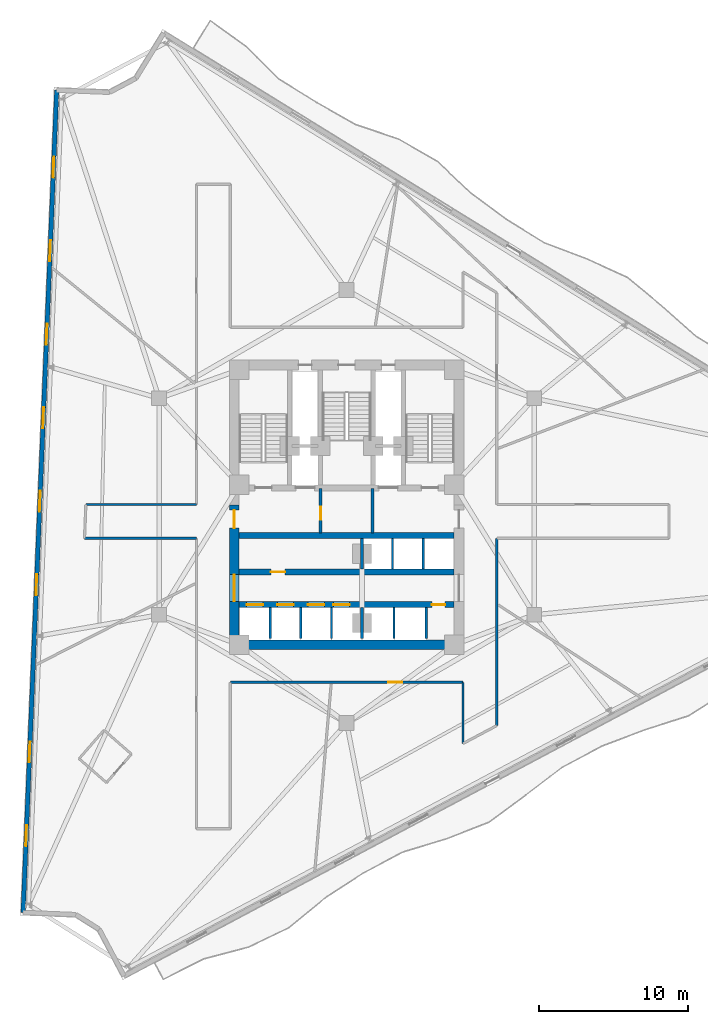
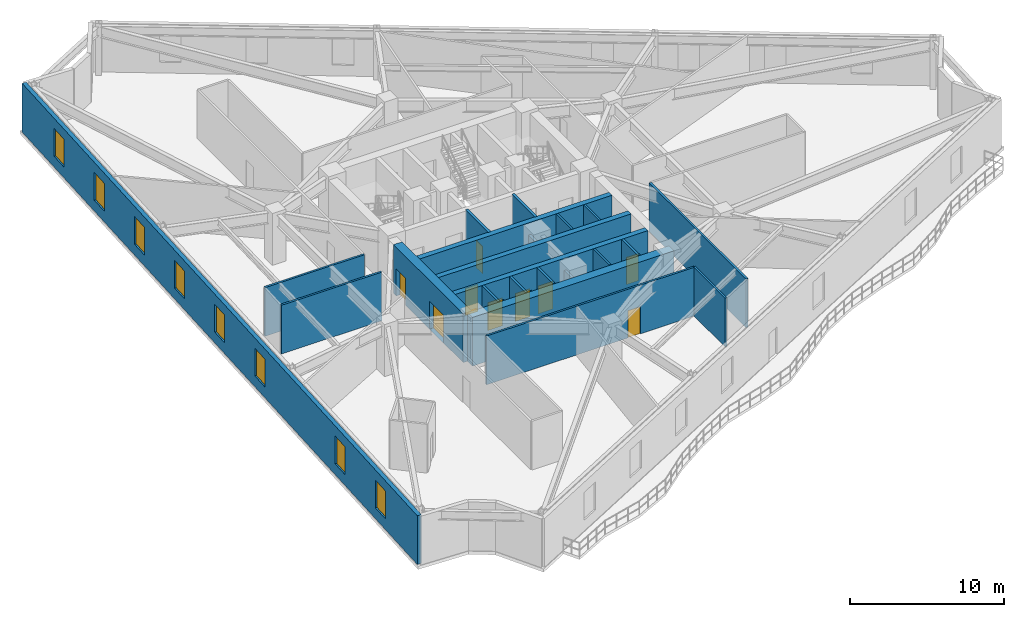
# One storey, part 6 of 11: 22 walls, 10 doors, 8 windows, 18 openings.
"""IFC4 building model written with IfcOpenShell, lengths in metres."""

from ifc_helpers import new_model, si_unit, direction, frame, frame_2d, origin, place, context, subcontext, project, spatial, rectangle, extrude, material, layer, layer_set, type_object, element, fill, save


model = new_model("IFC4")

# Units and contexts
model_context = context("Model", 3, precision=1e-05, world=origin(), true_north=direction((0.0, 1.0)))
body_context = subcontext(model_context, "Body", "Model", "MODEL_VIEW")
ifc_project = project(units=[si_unit("LENGTHUNIT", "METRE"), si_unit("AREAUNIT", "SQUARE_METRE"), si_unit("VOLUMEUNIT", "CUBIC_METRE"), si_unit("PLANEANGLEUNIT", "RADIAN"), si_unit("MASSUNIT", "GRAM", prefix="KILO")], contexts=[model_context])

# Site, building, storey
site_placement = place(None, origin())
site = spatial("IfcSite", under=ifc_project, at=site_placement, CompositionType="ELEMENT")
building_placement = place(site_placement, origin())
building = spatial("IfcBuilding", under=site, at=building_placement, Name="Apsidion Concourse Tower", CompositionType="ELEMENT")
storey_placement = place(building_placement, frame((0.0, 0.0, 186.0)))
storey = spatial("IfcBuildingStorey", under=building, at=storey_placement, Name="L43", CompositionType="ELEMENT", Elevation=186.0)

# Wall, openings, windows
ifc_material_1 = material(Name="Precast concrete C40/50", Category="concrete")
ifc_layer_1 = layer(ifc_material_1, 0.300048828125)
ifc_layer_set_1 = layer_set([ifc_layer_1], Name="Precast concrete C40/50")
wall_type_1 = type_object("IfcWallType", Name="WL-EXT-300", PredefinedType="STANDARD", material=ifc_layer_set_1)
wall_1_placement = place(storey_placement, frame((-21.66748046875, -27.184326171875, 0.0), z_axis=(0.0, 0.0, 1.0), x_axis=(0.040813869681, 0.999166766882, 0.0)))
wall_1 = element("IfcWall", 1, at=wall_1_placement, inside=storey, type_object=wall_type_1, Name="L43 Precast Stone Facade Wall 09", PredefinedType="STANDARD", context=body_context, shape_type="SweptSolid", body=[
    extrude(rectangle(XDim=55.1103515625, YDim=0.300048828125, at=frame_2d((27.55517578125, 0.0))), origin(), (0.0, 0.0, 1.0), 3.85009765625),
])
opening_1_placement = place(wall_1_placement, frame((4.455322265625, 0.0, 0.85009765625)))
opening_1 = element("IfcOpeningElement", 2, at=opening_1_placement, cuts=wall_1, Name="Opening WN-05", PredefinedType="OPENING", context=body_context, shape_type="SweptSolid", body=[
    extrude(rectangle(XDim=1.39990234375, YDim=2.199951171875, at=frame_2d((0.699951171875, 1.10009765625))), frame((0.0, 0.16015625, 0.0), z_axis=(0.0, -1.0, 0.0), x_axis=(1.0, 0.0, 0.0)), (0.0, 0.0, 1.0), 0.320068359375),
])
opening_2_placement = place(wall_1_placement, frame((10.055419921875, 0.0, 0.85009765625)))
opening_2 = element("IfcOpeningElement", 3, at=opening_2_placement, cuts=wall_1, Name="Opening WN-05", PredefinedType="OPENING", context=body_context, shape_type="SweptSolid", body=[
    extrude(rectangle(XDim=1.39990234375, YDim=2.199951171875, at=frame_2d((0.699951171875, 1.10009765625))), frame((0.0, 0.16015625, 0.0), z_axis=(0.0, -1.0, 0.0), x_axis=(1.0, 0.0, 0.0)), (0.0, 0.0, 1.0), 0.320068359375),
])
opening_3_placement = place(wall_1_placement, frame((21.25537109375, 0.0, 0.85009765625)))
opening_3 = element("IfcOpeningElement", 4, at=opening_3_placement, cuts=wall_1, Name="Opening WN-05", PredefinedType="OPENING", context=body_context, shape_type="SweptSolid", body=[
    extrude(rectangle(XDim=1.39990234375, YDim=2.199951171875, at=frame_2d((0.699951171875, 1.10009765625))), frame((0.0, 0.16015625, 0.0), z_axis=(0.0, -1.0, 0.0), x_axis=(1.0, 0.0, 0.0)), (0.0, 0.0, 1.0), 0.320068359375),
])
opening_4_placement = place(wall_1_placement, frame((26.855224609375, 0.0, 0.85009765625)))
opening_4 = element("IfcOpeningElement", 5, at=opening_4_placement, cuts=wall_1, Name="Opening WN-05", PredefinedType="OPENING", context=body_context, shape_type="SweptSolid", body=[
    extrude(rectangle(XDim=1.39990234375, YDim=2.199951171875, at=frame_2d((0.699951171875, 1.10009765625))), frame((0.0, 0.16015625, 0.0), z_axis=(0.0, -1.0, 0.0), x_axis=(1.0, 0.0, 0.0)), (0.0, 0.0, 1.0), 0.320068359375),
])
opening_5_placement = place(wall_1_placement, frame((32.455322265625, 0.0, 0.85009765625)))
opening_5 = element("IfcOpeningElement", 6, at=opening_5_placement, cuts=wall_1, Name="Opening WN-05", PredefinedType="OPENING", context=body_context, shape_type="SweptSolid", body=[
    extrude(rectangle(XDim=1.39990234375, YDim=2.199951171875, at=frame_2d((0.699951171875, 1.10009765625))), frame((0.0, 0.16015625, 0.0), z_axis=(0.0, -1.0, 0.0), x_axis=(1.0, 0.0, 0.0)), (0.0, 0.0, 1.0), 0.320068359375),
])
opening_6_placement = place(wall_1_placement, frame((38.055419921875, 0.0, 0.85009765625)))
opening_6 = element("IfcOpeningElement", 7, at=opening_6_placement, cuts=wall_1, Name="Opening WN-05", PredefinedType="OPENING", context=body_context, shape_type="SweptSolid", body=[
    extrude(rectangle(XDim=1.39990234375, YDim=2.199951171875, at=frame_2d((0.699951171875, 1.10009765625))), frame((0.0, 0.16015625, 0.0), z_axis=(0.0, -1.0, 0.0), x_axis=(1.0, 0.0, 0.0)), (0.0, 0.0, 1.0), 0.320068359375),
])
opening_7_placement = place(wall_1_placement, frame((43.6552734375, 0.0, 0.85009765625)))
opening_7 = element("IfcOpeningElement", 8, at=opening_7_placement, cuts=wall_1, Name="Opening WN-05", PredefinedType="OPENING", context=body_context, shape_type="SweptSolid", body=[
    extrude(rectangle(XDim=1.39990234375, YDim=2.199951171875, at=frame_2d((0.699951171875, 1.10009765625))), frame((0.0, 0.16015625, 0.0), z_axis=(0.0, -1.0, 0.0), x_axis=(1.0, 0.0, 0.0)), (0.0, 0.0, 1.0), 0.320068359375),
])
opening_8_placement = place(wall_1_placement, frame((49.25537109375, 0.0, 0.85009765625)))
opening_8 = element("IfcOpeningElement", 9, at=opening_8_placement, cuts=wall_1, Name="Opening WN-05", PredefinedType="OPENING", context=body_context, shape_type="SweptSolid", body=[
    extrude(rectangle(XDim=1.39990234375, YDim=2.199951171875, at=frame_2d((0.699951171875, 1.10009765625))), frame((0.0, 0.16015625, 0.0), z_axis=(0.0, -1.0, 0.0), x_axis=(1.0, 0.0, 0.0)), (0.0, 0.0, 1.0), 0.320068359375),
])
ifc_material_2 = material(Name="Insulated laminated low-E glass", Category="glass")
window_type = type_object("IfcWindowType", Name="WN-OFF-1424", PartitioningType="SINGLE_PANEL", PredefinedType="WINDOW", material=ifc_material_2)
window_1_placement = place(opening_1_placement, origin())
window_1 = element("IfcWindow", 10, at=window_1_placement, inside=storey, type_object=window_type, Name="L43 Punched Facade Window 9-01", OverallHeight=2.199951171875, OverallWidth=1.39990234375, PartitioningType="SINGLE_PANEL", PredefinedType="WINDOW", context=body_context, shape_type="SweptSolid", body=[
    extrude(rectangle(XDim=1.39990234375, YDim=2.199951171875, at=frame_2d((0.699951171875, 1.10009765625))), frame((0.0, 0.030029296875, 0.0), z_axis=(0.0, -1.0, 0.0), x_axis=(1.0, 0.0, 0.0)), (0.0, 0.0, 1.0), 0.06005859375),
])
fill(opening_1, window_1)
window_2_placement = place(opening_2_placement, origin())
window_2 = element("IfcWindow", 11, at=window_2_placement, inside=storey, type_object=window_type, Name="L43 Punched Facade Window 9-02", OverallHeight=2.199951171875, OverallWidth=1.39990234375, PartitioningType="SINGLE_PANEL", PredefinedType="WINDOW", context=body_context, shape_type="SweptSolid", body=[
    extrude(rectangle(XDim=1.39990234375, YDim=2.199951171875, at=frame_2d((0.699951171875, 1.10009765625))), frame((0.0, 0.030029296875, 0.0), z_axis=(0.0, -1.0, 0.0), x_axis=(1.0, 0.0, 0.0)), (0.0, 0.0, 1.0), 0.06005859375),
])
fill(opening_2, window_2)
window_3_placement = place(opening_3_placement, origin())
window_3 = element("IfcWindow", 12, at=window_3_placement, inside=storey, type_object=window_type, Name="L43 Punched Facade Window 9-04", OverallHeight=2.199951171875, OverallWidth=1.39990234375, PartitioningType="SINGLE_PANEL", PredefinedType="WINDOW", context=body_context, shape_type="SweptSolid", body=[
    extrude(rectangle(XDim=1.39990234375, YDim=2.199951171875, at=frame_2d((0.699951171875, 1.10009765625))), frame((0.0, 0.030029296875, 0.0), z_axis=(0.0, -1.0, 0.0), x_axis=(1.0, 0.0, 0.0)), (0.0, 0.0, 1.0), 0.06005859375),
])
fill(opening_3, window_3)
window_4_placement = place(opening_4_placement, origin())
window_4 = element("IfcWindow", 13, at=window_4_placement, inside=storey, type_object=window_type, Name="L43 Punched Facade Window 9-05", OverallHeight=2.199951171875, OverallWidth=1.39990234375, PartitioningType="SINGLE_PANEL", PredefinedType="WINDOW", context=body_context, shape_type="SweptSolid", body=[
    extrude(rectangle(XDim=1.39990234375, YDim=2.199951171875, at=frame_2d((0.699951171875, 1.10009765625))), frame((0.0, 0.030029296875, 0.0), z_axis=(0.0, -1.0, 0.0), x_axis=(1.0, 0.0, 0.0)), (0.0, 0.0, 1.0), 0.06005859375),
])
fill(opening_4, window_4)
window_5_placement = place(opening_5_placement, origin())
window_5 = element("IfcWindow", 14, at=window_5_placement, inside=storey, type_object=window_type, Name="L43 Punched Facade Window 9-06", OverallHeight=2.199951171875, OverallWidth=1.39990234375, PartitioningType="SINGLE_PANEL", PredefinedType="WINDOW", context=body_context, shape_type="SweptSolid", body=[
    extrude(rectangle(XDim=1.39990234375, YDim=2.199951171875, at=frame_2d((0.699951171875, 1.10009765625))), frame((0.0, 0.030029296875, 0.0), z_axis=(0.0, -1.0, 0.0), x_axis=(1.0, 0.0, 0.0)), (0.0, 0.0, 1.0), 0.06005859375),
])
fill(opening_5, window_5)
window_6_placement = place(opening_6_placement, origin())
window_6 = element("IfcWindow", 15, at=window_6_placement, inside=storey, type_object=window_type, Name="L43 Punched Facade Window 9-07", OverallHeight=2.199951171875, OverallWidth=1.39990234375, PartitioningType="SINGLE_PANEL", PredefinedType="WINDOW", context=body_context, shape_type="SweptSolid", body=[
    extrude(rectangle(XDim=1.39990234375, YDim=2.199951171875, at=frame_2d((0.699951171875, 1.10009765625))), frame((0.0, 0.030029296875, 0.0), z_axis=(0.0, -1.0, 0.0), x_axis=(1.0, 0.0, 0.0)), (0.0, 0.0, 1.0), 0.06005859375),
])
fill(opening_6, window_6)
window_7_placement = place(opening_7_placement, origin())
window_7 = element("IfcWindow", 16, at=window_7_placement, inside=storey, type_object=window_type, Name="L43 Punched Facade Window 9-08", OverallHeight=2.199951171875, OverallWidth=1.39990234375, PartitioningType="SINGLE_PANEL", PredefinedType="WINDOW", context=body_context, shape_type="SweptSolid", body=[
    extrude(rectangle(XDim=1.39990234375, YDim=2.199951171875, at=frame_2d((0.699951171875, 1.10009765625))), frame((0.0, 0.030029296875, 0.0), z_axis=(0.0, -1.0, 0.0), x_axis=(1.0, 0.0, 0.0)), (0.0, 0.0, 1.0), 0.06005859375),
])
fill(opening_7, window_7)
window_8_placement = place(opening_8_placement, origin())
window_8 = element("IfcWindow", 17, at=window_8_placement, inside=storey, type_object=window_type, Name="L43 Punched Facade Window 9-09", OverallHeight=2.199951171875, OverallWidth=1.39990234375, PartitioningType="SINGLE_PANEL", PredefinedType="WINDOW", context=body_context, shape_type="SweptSolid", body=[
    extrude(rectangle(XDim=1.39990234375, YDim=2.199951171875, at=frame_2d((0.699951171875, 1.10009765625))), frame((0.0, 0.030029296875, 0.0), z_axis=(0.0, -1.0, 0.0), x_axis=(1.0, 0.0, 0.0)), (0.0, 0.0, 1.0), 0.06005859375),
])
fill(opening_8, window_8)

# Walls
ifc_material_3 = material(Name="Gypsum plasterboard partition")
ifc_layer_2 = layer(ifc_material_3, 0.14990234375)
ifc_layer_set_2 = layer_set([ifc_layer_2], Name="Gypsum plasterboard partition")
wall_type_2 = type_object("IfcWallType", Name="WL-INT-PAR-150", PredefinedType="PARTITIONING", material=ifc_layer_set_2)
for number, where, z_axis, x_axis, name in (
    (18, (3.074951171875, -4.179931640625, 0.0), (0.0, 0.0, 1.0), (0.0, 1.0, 0.0), "L43 Interior Partition WL-L43-B3DIV-1"),
    (19, (5.125, -4.179931640625, 0.0), (0.0, 0.0, 1.0), (0.0, 1.0, 0.0), "L43 Interior Partition WL-L43-B3DIV-2"),
):
    element("IfcWall", number, at=place(storey_placement, frame(where, z_axis=z_axis, x_axis=x_axis)), inside=storey, type_object=wall_type_2, Name=name, PredefinedType="PARTITIONING", context=body_context, shape_type="SweptSolid", body=[
        extrude(rectangle(XDim=2.030029296875, YDim=0.14990234375, at=frame_2d((1.01513671875, 0.0))), origin(), (0.0, 0.0, 1.0), 3.85009765625),
    ])
for number, where, z_axis, x_axis, name in (
    (20, (-5.125, -8.85009765625, 0.0), (0.0, 0.0, 1.0), (0.0, 1.0, 0.0), "L43 Interior Partition WL-L43-B2DIV-1"),
    (21, (-3.074951171875, -8.85009765625, 0.0), (0.0, 0.0, 1.0), (0.0, 1.0, 0.0), "L43 Interior Partition WL-L43-B2DIV-2"),
    (22, (-1.02490234375, -8.85009765625, 0.0), (0.0, 0.0, 1.0), (0.0, 1.0, 0.0), "L43 Interior Partition WL-L43-B2DIV-3"),
    (23, (3.175048828125, -8.85009765625, 0.0), (0.0, 0.0, 1.0), (0.0, 1.0, 0.0), "L43 Interior Partition WL-L43-SHDIV-1"),
):
    element("IfcWall", number, at=place(storey_placement, frame(where, z_axis=z_axis, x_axis=x_axis)), inside=storey, type_object=wall_type_2, Name=name, PredefinedType="PARTITIONING", context=body_context, shape_type="SweptSolid", body=[
        extrude(rectangle(XDim=2.080078125, YDim=0.14990234375, at=frame_2d((1.0400390625, 0.0))), origin(), (0.0, 0.0, 1.0), 3.85009765625),
    ])
wall_2_placement = place(storey_placement, frame((7.7900390625, -15.87060546875, 0.0), z_axis=(0.0, 0.0, 1.0), x_axis=(0.0, 1.0, 0.0)))
element("IfcWall", 24, at=wall_2_placement, inside=storey, type_object=wall_type_2, Name="L43 Interior Partition WL-L43-CORR-02", PredefinedType="PARTITIONING", context=body_context, shape_type="SweptSolid", body=[
    extrude(rectangle(XDim=4.095703125, YDim=0.14990234375, at=frame_2d((2.0478515625, 0.0))), origin(), (0.0, 0.0, 1.0), 3.85009765625),
])

# Wall, opening, door
wall_3_placement = place(storey_placement, frame((7.7900390625, -11.77490234375, 0.0), z_axis=(0.0, 0.0, 1.0), x_axis=(-1.0, 0.0, 0.0)))
wall_3 = element("IfcWall", 25, at=wall_3_placement, inside=storey, type_object=wall_type_2, Name="L43 Interior Partition WL-L43-CORR-03", PredefinedType="PARTITIONING", context=body_context, shape_type="SweptSolid", body=[
    extrude(rectangle(XDim=15.580078125, YDim=0.14990234375, at=frame_2d((7.7900390625, 0.0))), origin(), (0.0, 0.0, 1.0), 3.85009765625),
])
opening_9_placement = place(wall_3_placement, frame((4.066650390625, 0.0, 0.0)))
opening_9 = element("IfcOpeningElement", 26, at=opening_9_placement, cuts=wall_3, Name="Opening D-01R", PredefinedType="OPENING", context=body_context, shape_type="SweptSolid", body=[
    extrude(rectangle(XDim=0.949951171875, YDim=2.14990234375, at=frame_2d((0.47509765625, 1.074951171875))), frame((0.0, 0.0849609375, 0.0), z_axis=(0.0, -1.0, 0.0), x_axis=(1.0, 0.0, 0.0)), (0.0, 0.0, 1.0), 0.169921875),
])
ifc_material_4 = material(Name="Brushed stainless steel 316", Category="steel")
door_type_1 = type_object("IfcDoorType", Name="DR-INT-D01R", OperationType="SINGLE_SWING_RIGHT", PredefinedType="DOOR", material=ifc_material_4)
door_1_placement = place(opening_9_placement, origin())
door_1 = element("IfcDoor", 27, at=door_1_placement, inside=storey, type_object=door_type_1, Name="L43 Corridor Entry Door 02", OperationType="SINGLE_SWING_RIGHT", OverallHeight=2.14990234375, OverallWidth=0.949951171875, PredefinedType="DOOR", context=body_context, shape_type="SweptSolid", body=[
    extrude(rectangle(XDim=0.949951171875, YDim=2.14990234375, at=frame_2d((0.47509765625, 1.074951171875))), frame((0.0, 0.02490234375, 0.0), z_axis=(0.0, -1.0, 0.0), x_axis=(1.0, 0.0, 0.0)), (0.0, 0.0, 1.0), 0.050048828125),
])
fill(opening_9, door_1)

# Walls
wall_4_placement = place(storey_placement, frame((-10.050048828125, -2.1298828125, 0.0), z_axis=(0.0, 0.0, 1.0), x_axis=(-1.0, 0.0, 0.0)))
element("IfcWall", 28, at=wall_4_placement, inside=storey, type_object=wall_type_2, Name="L43 Interior Partition WL-L43-CORR-07", PredefinedType="PARTITIONING", context=body_context, shape_type="SweptSolid", body=[
    extrude(rectangle(XDim=7.50634765625, YDim=0.14990234375, at=frame_2d((3.753173828125, 0.0))), origin(), (0.0, 0.0, 1.0), 3.85009765625),
])
wall_5_placement = place(storey_placement, frame((-17.464111328125, 0.1298828125, 0.0), z_axis=(0.0, 0.0, 1.0), x_axis=(1.0, 0.0, 0.0)))
element("IfcWall", 29, at=wall_5_placement, inside=storey, type_object=wall_type_2, Name="L43 Interior Partition WL-L43-CORR-09", PredefinedType="PARTITIONING", context=body_context, shape_type="SweptSolid", body=[
    extrude(rectangle(XDim=7.4140625, YDim=0.14990234375, at=frame_2d((3.70703125, 0.0))), origin(), (0.0, 0.0, 1.0), 3.85009765625),
])
wall_6_placement = place(storey_placement, frame((10.050048828125, -2.1298828125, 0.0), z_axis=(0.0, 0.0, 1.0), x_axis=(0.0, -1.0, 0.0)))
element("IfcWall", 30, at=wall_6_placement, inside=storey, type_object=wall_type_2, Name="L43 Interior Partition WL-L43-CORR-20", PredefinedType="PARTITIONING", context=body_context, shape_type="SweptSolid", body=[
    extrude(rectangle(XDim=12.5390625, YDim=0.14990234375, at=frame_2d((6.26953125, 0.0))), origin(), (0.0, 0.0, 1.0), 3.85009765625),
])
ifc_layer_3 = layer(ifc_material_3, 0.179931640625)
ifc_layer_set_3 = layer_set([ifc_layer_3], Name="Gypsum plasterboard partition")
wall_type_3 = type_object("IfcWallType", Name="WL-INT-PAR-180", PredefinedType="PARTITIONING", material=ifc_layer_set_3)
wall_7_placement = place(storey_placement, frame((1.02490234375, -4.179931640625, 0.0), z_axis=(0.0, 0.0, 1.0), x_axis=(0.0, 1.0, 0.0)))
element("IfcWall", 31, at=wall_7_placement, inside=storey, type_object=wall_type_3, Name="L43 Interior Partition WL-L43-B1END", PredefinedType="PARTITIONING", context=body_context, shape_type="SweptSolid", body=[
    extrude(rectangle(XDim=2.030029296875, YDim=0.179931640625, at=frame_2d((1.01513671875, 0.0))), origin(), (0.0, 0.0, 1.0), 2.89794921875),
])
wall_8_placement = place(storey_placement, frame((1.02490234375, -8.85009765625, 0.0), z_axis=(0.0, 0.0, 1.0), x_axis=(0.0, 1.0, 0.0)))
element("IfcWall", 32, at=wall_8_placement, inside=storey, type_object=wall_type_3, Name="L43 Interior Partition WL-L43-B2END", PredefinedType="PARTITIONING", context=body_context, shape_type="SweptSolid", body=[
    extrude(rectangle(XDim=2.080078125, YDim=0.179931640625, at=frame_2d((1.0400390625, 0.0))), origin(), (0.0, 0.0, 1.0), 2.89794921875),
])
wall_9_placement = place(storey_placement, frame((5.324951171875, -8.85009765625, 0.0), z_axis=(0.0, 0.0, 1.0), x_axis=(0.0, 1.0, 0.0)))
element("IfcWall", 33, at=wall_9_placement, inside=storey, type_object=wall_type_3, Name="L43 Interior Partition WL-L43-SHDIV-2", PredefinedType="PARTITIONING", context=body_context, shape_type="SweptSolid", body=[
    extrude(rectangle(XDim=2.080078125, YDim=0.179931640625, at=frame_2d((1.0400390625, 0.0))), origin(), (0.0, 0.0, 1.0), 3.85009765625),
])

# Wall, opening, door
ifc_layer_4 = layer(ifc_material_3, 0.199951171875)
ifc_layer_set_4 = layer_set([ifc_layer_4], Name="Gypsum plasterboard partition")
wall_type_4 = type_object("IfcWallType", Name="WL-INT-PAR-200", PredefinedType="PARTITIONING", material=ifc_layer_set_4)
wall_10_placement = place(storey_placement, frame((-1.739990234375, -1.780029296875, 0.0), z_axis=(0.0, 0.0, 1.0), x_axis=(0.0, 1.0, 0.0)))
wall_10 = element("IfcWall", 34, at=wall_10_placement, inside=storey, type_object=wall_type_4, Name="L43 Interior Partition WL-L43-FF1-E", PredefinedType="PARTITIONING", context=body_context, shape_type="SweptSolid", body=[
    extrude(rectangle(XDim=2.97998046875, YDim=0.199951171875, at=frame_2d((1.489990234375, 0.0))), origin(), (0.0, 0.0, 1.0), 3.85009765625),
])
opening_10_placement = place(wall_10_placement, frame((0.889892578125, 0.0, 0.0)))
opening_10 = element("IfcOpeningElement", 35, at=opening_10_placement, cuts=wall_10, Name="Opening D-05R", PredefinedType="OPENING", context=body_context, shape_type="SweptSolid", body=[
    extrude(rectangle(XDim=0.8798828125, YDim=2.14990234375, at=frame_2d((0.43994140625, 1.074951171875))), frame((0.0, 0.10986328125, 0.0), z_axis=(0.0, -1.0, 0.0), x_axis=(1.0, 0.0, 0.0)), (0.0, 0.0, 1.0), 0.219970703125),
])
door_type_2 = type_object("IfcDoorType", Name="DR-INT-D05R", OperationType="SINGLE_SWING_RIGHT", PredefinedType="DOOR", material=ifc_material_4)
door_2_placement = place(opening_10_placement, origin())
door_2 = element("IfcDoor", 36, at=door_2_placement, inside=storey, type_object=door_type_2, Name="L43 Core BMS Door", OperationType="SINGLE_SWING_RIGHT", OverallHeight=2.14990234375, OverallWidth=0.8798828125, PredefinedType="DOOR", context=body_context, shape_type="SweptSolid", body=[
    extrude(rectangle(XDim=0.8798828125, YDim=2.14990234375, at=frame_2d((0.43994140625, 1.074951171875))), frame((0.0, 0.02490234375, 0.0), z_axis=(0.0, -1.0, 0.0), x_axis=(1.0, 0.0, 0.0)), (0.0, 0.0, 1.0), 0.050048828125),
])
fill(opening_10, door_2)

# Walls
wall_11_placement = place(storey_placement, frame((1.739990234375, -1.780029296875, 0.0), z_axis=(0.0, 0.0, 1.0), x_axis=(0.0, 1.0, 0.0)))
element("IfcWall", 37, at=wall_11_placement, inside=storey, type_object=wall_type_4, Name="L43 Interior Partition WL-L43-FF2-W", PredefinedType="PARTITIONING", context=body_context, shape_type="SweptSolid", body=[
    extrude(rectangle(XDim=2.97998046875, YDim=0.199951171875, at=frame_2d((1.489990234375, 0.0))), origin(), (0.0, 0.0, 1.0), 3.85009765625),
])
ifc_material_5 = material(Name="Concrete C50/60", Category="concrete")
ifc_layer_5 = layer(ifc_material_5, 0.39990234375)
ifc_layer_set_5 = layer_set([ifc_layer_5], Name="Concrete C50/60")
wall_type_5 = type_object("IfcWallType", Name="WL-SH-400", PredefinedType="SHEAR", material=ifc_layer_set_5)
wall_12_placement = place(storey_placement, frame((-7.199951171875, -1.949951171875, 0.0), z_axis=(0.0, 0.0, 1.0), x_axis=(1.0, 0.0, 0.0)))
element("IfcWall", 38, at=wall_12_placement, inside=storey, type_object=wall_type_5, Name="L43 Central Core Shear Wall M2", PredefinedType="SHEAR", context=body_context, shape_type="SweptSolid", body=[
    extrude(rectangle(XDim=14.39990234375, YDim=0.39990234375, at=frame_2d((7.199951171875, 0.0))), origin(), (0.0, 0.0, 1.0), 3.85009765625),
])

# Wall, opening, door
wall_13_placement = place(storey_placement, frame((-7.199951171875, -4.3798828125, 0.0), z_axis=(0.0, 0.0, 1.0), x_axis=(1.0, 0.0, 0.0)))
wall_13 = element("IfcWall", 39, at=wall_13_placement, inside=storey, type_object=wall_type_5, Name="L43 Central Core Shear Wall LA", PredefinedType="SHEAR", context=body_context, shape_type="SweptSolid", body=[
    extrude(rectangle(XDim=14.39990234375, YDim=0.39990234375, at=frame_2d((7.199951171875, 0.0))), origin(), (0.0, 0.0, 1.0), 3.85009765625),
])
opening_11_placement = place(wall_13_placement, frame((2.125, 0.0, 0.0)))
opening_11 = element("IfcOpeningElement", 40, at=opening_11_placement, cuts=wall_13, Name="Opening D-04L", PredefinedType="OPENING", context=body_context, shape_type="SweptSolid", body=[
    extrude(rectangle(XDim=0.949951171875, YDim=2.14990234375, at=frame_2d((0.47509765625, 1.074951171875))), frame((0.0, 0.2099609375, 0.0), z_axis=(0.0, -1.0, 0.0), x_axis=(1.0, 0.0, 0.0)), (0.0, 0.0, 1.0), 0.419921875),
])
door_type_3 = type_object("IfcDoorType", Name="DR-INT-D04L", OperationType="SINGLE_SWING_LEFT", PredefinedType="DOOR", material=ifc_material_4)
door_3_placement = place(opening_11_placement, origin())
door_3 = element("IfcDoor", 41, at=door_3_placement, inside=storey, type_object=door_type_3, Name="L43 Tenant Archive and Print Room Door", OperationType="SINGLE_SWING_LEFT", OverallHeight=2.14990234375, OverallWidth=0.949951171875, PredefinedType="DOOR", context=body_context, shape_type="SweptSolid", body=[
    extrude(rectangle(XDim=0.949951171875, YDim=2.14990234375, at=frame_2d((0.47509765625, 1.074951171875))), frame((0.0, 0.02490234375, 0.0), z_axis=(0.0, -1.0, 0.0), x_axis=(1.0, 0.0, 0.0)), (0.0, 0.0, 1.0), 0.050048828125),
])
fill(opening_11, door_3)

# Wall, openings, doors
wall_14_placement = place(storey_placement, frame((-7.199951171875, -6.570068359375, 0.0), z_axis=(0.0, 0.0, 1.0), x_axis=(1.0, 0.0, 0.0)))
wall_14 = element("IfcWall", 42, at=wall_14_placement, inside=storey, type_object=wall_type_5, Name="L43 Central Core Shear Wall LB", PredefinedType="SHEAR", context=body_context, shape_type="SweptSolid", body=[
    extrude(rectangle(XDim=14.39990234375, YDim=0.39990234375, at=frame_2d((7.199951171875, 0.0))), origin(), (0.0, 0.0, 1.0), 3.85009765625),
])
opening_12_placement = place(wall_14_placement, frame((0.5, 0.0, 0.0)))
opening_12 = element("IfcOpeningElement", 43, at=opening_12_placement, cuts=wall_14, Name="Opening LD-P1", PredefinedType="OPENING", context=body_context, shape_type="SweptSolid", body=[
    extrude(rectangle(XDim=1.10009765625, YDim=2.199951171875, at=frame_2d((0.550048828125, 1.10009765625))), frame((0.0, 0.2099609375, 0.0), z_axis=(0.0, -1.0, 0.0), x_axis=(1.0, 0.0, 0.0)), (0.0, 0.0, 1.0), 0.419921875),
])
opening_13_placement = place(wall_14_placement, frame((2.550048828125, 0.0, 0.0)))
opening_13 = element("IfcOpeningElement", 44, at=opening_13_placement, cuts=wall_14, Name="Opening LD-P1", PredefinedType="OPENING", context=body_context, shape_type="SweptSolid", body=[
    extrude(rectangle(XDim=1.10009765625, YDim=2.199951171875, at=frame_2d((0.550048828125, 1.10009765625))), frame((0.0, 0.2099609375, 0.0), z_axis=(0.0, -1.0, 0.0), x_axis=(1.0, 0.0, 0.0)), (0.0, 0.0, 1.0), 0.419921875),
])
opening_14_placement = place(wall_14_placement, frame((4.60009765625, 0.0, 0.0)))
opening_14 = element("IfcOpeningElement", 45, at=opening_14_placement, cuts=wall_14, Name="Opening LD-P1", PredefinedType="OPENING", context=body_context, shape_type="SweptSolid", body=[
    extrude(rectangle(XDim=1.10009765625, YDim=2.199951171875, at=frame_2d((0.550048828125, 1.10009765625))), frame((0.0, 0.2099609375, 0.0), z_axis=(0.0, -1.0, 0.0), x_axis=(1.0, 0.0, 0.0)), (0.0, 0.0, 1.0), 0.419921875),
])
opening_15_placement = place(wall_14_placement, frame((6.300048828125, 0.0, 0.0)))
opening_15 = element("IfcOpeningElement", 46, at=opening_15_placement, cuts=wall_14, Name="Opening LD-P1", PredefinedType="OPENING", context=body_context, shape_type="SweptSolid", body=[
    extrude(rectangle(XDim=1.10009765625, YDim=2.199951171875, at=frame_2d((0.550048828125, 1.10009765625))), frame((0.0, 0.2099609375, 0.0), z_axis=(0.0, -1.0, 0.0), x_axis=(1.0, 0.0, 0.0)), (0.0, 0.0, 1.0), 0.419921875),
])
opening_16_placement = place(wall_14_placement, frame((12.909912109375, 0.0, 0.0)))
opening_16 = element("IfcOpeningElement", 47, at=opening_16_placement, cuts=wall_14, Name="Opening D-05L", PredefinedType="OPENING", context=body_context, shape_type="SweptSolid", body=[
    extrude(rectangle(XDim=0.8798828125, YDim=2.14990234375, at=frame_2d((0.43994140625, 1.074951171875))), frame((0.0, 0.2099609375, 0.0), z_axis=(0.0, -1.0, 0.0), x_axis=(1.0, 0.0, 0.0)), (0.0, 0.0, 1.0), 0.419921875),
])
door_type_4 = type_object("IfcDoorType", Name="DR-INT-D05L", OperationType="SINGLE_SWING_LEFT", PredefinedType="DOOR", material=ifc_material_4)
door_4_placement = place(opening_16_placement, origin())
door_4 = element("IfcDoor", 48, at=door_4_placement, inside=storey, type_object=door_type_4, Name="L43 Cleaners Store Door", OperationType="SINGLE_SWING_LEFT", OverallHeight=2.14990234375, OverallWidth=0.8798828125, PredefinedType="DOOR", context=body_context, shape_type="SweptSolid", body=[
    extrude(rectangle(XDim=0.8798828125, YDim=2.14990234375, at=frame_2d((0.43994140625, 1.074951171875))), frame((0.0, 0.02490234375, 0.0), z_axis=(0.0, -1.0, 0.0), x_axis=(1.0, 0.0, 0.0)), (0.0, 0.0, 1.0), 0.050048828125),
])
fill(opening_16, door_4)
door_type_5 = type_object("IfcDoorType", Name="DR-LD-PASS", OperationType="DOUBLE_DOOR_SLIDING", PredefinedType="DOOR", material=ifc_material_4)
door_5_placement = place(opening_12_placement, origin())
door_5 = element("IfcDoor", 49, at=door_5_placement, inside=storey, type_object=door_type_5, Name="L43 Lift Landing Door P5", OperationType="DOUBLE_DOOR_SLIDING", OverallHeight=2.199951171875, OverallWidth=1.10009765625, PredefinedType="DOOR", context=body_context, shape_type="SweptSolid", body=[
    extrude(rectangle(XDim=1.10009765625, YDim=2.199951171875, at=frame_2d((0.550048828125, 1.10009765625))), frame((0.0, 0.02490234375, 0.0), z_axis=(0.0, -1.0, 0.0), x_axis=(1.0, 0.0, 0.0)), (0.0, 0.0, 1.0), 0.050048828125),
])
fill(opening_12, door_5)
door_6_placement = place(opening_13_placement, origin())
door_6 = element("IfcDoor", 50, at=door_6_placement, inside=storey, type_object=door_type_5, Name="L43 Lift Landing Door P6", OperationType="DOUBLE_DOOR_SLIDING", OverallHeight=2.199951171875, OverallWidth=1.10009765625, PredefinedType="DOOR", context=body_context, shape_type="SweptSolid", body=[
    extrude(rectangle(XDim=1.10009765625, YDim=2.199951171875, at=frame_2d((0.550048828125, 1.10009765625))), frame((0.0, 0.02490234375, 0.0), z_axis=(0.0, -1.0, 0.0), x_axis=(1.0, 0.0, 0.0)), (0.0, 0.0, 1.0), 0.050048828125),
])
fill(opening_13, door_6)
door_7_placement = place(opening_14_placement, origin())
door_7 = element("IfcDoor", 51, at=door_7_placement, inside=storey, type_object=door_type_5, Name="L43 Lift Landing Door P7", OperationType="DOUBLE_DOOR_SLIDING", OverallHeight=2.199951171875, OverallWidth=1.10009765625, PredefinedType="DOOR", context=body_context, shape_type="SweptSolid", body=[
    extrude(rectangle(XDim=1.10009765625, YDim=2.199951171875, at=frame_2d((0.550048828125, 1.10009765625))), frame((0.0, 0.02490234375, 0.0), z_axis=(0.0, -1.0, 0.0), x_axis=(1.0, 0.0, 0.0)), (0.0, 0.0, 1.0), 0.050048828125),
])
fill(opening_14, door_7)
door_8_placement = place(opening_15_placement, origin())
door_8 = element("IfcDoor", 52, at=door_8_placement, inside=storey, type_object=door_type_5, Name="L43 Lift Landing Door P8", OperationType="DOUBLE_DOOR_SLIDING", OverallHeight=2.199951171875, OverallWidth=1.10009765625, PredefinedType="DOOR", context=body_context, shape_type="SweptSolid", body=[
    extrude(rectangle(XDim=1.10009765625, YDim=2.199951171875, at=frame_2d((0.550048828125, 1.10009765625))), frame((0.0, 0.02490234375, 0.0), z_axis=(0.0, -1.0, 0.0), x_axis=(1.0, 0.0, 0.0)), (0.0, 0.0, 1.0), 0.050048828125),
])
fill(opening_15, door_8)

ifc_layer_6 = layer(ifc_material_5, 0.64990234375)
ifc_layer_set_6 = layer_set([ifc_layer_6], Name="Concrete C50/60")
wall_type_6 = type_object("IfcWallType", Name="WL-SH-650", PredefinedType="SHEAR", material=ifc_layer_set_6)
wall_15_placement = place(storey_placement, frame((-7.52490234375, -8.925048828125, 0.0), z_axis=(0.0, 0.0, 1.0), x_axis=(0.0, 1.0, 0.0)))
wall_15 = element("IfcWall", 53, at=wall_15_placement, inside=storey, type_object=wall_type_6, Name="L43 Central Core Shear Wall WS", PredefinedType="SHEAR", context=body_context, shape_type="SweptSolid", body=[
    extrude(rectangle(XDim=9.025146484375, YDim=0.64990234375, at=frame_2d((4.5126953125, 0.0))), origin(), (0.0, 0.0, 1.0), 3.85009765625),
])
opening_17_placement = place(wall_15_placement, frame((2.56494140625, 0.0, 0.0)))
opening_17 = element("IfcOpeningElement", 54, at=opening_17_placement, cuts=wall_15, Name="Opening D-06D", PredefinedType="OPENING", context=body_context, shape_type="SweptSolid", body=[
    extrude(rectangle(XDim=1.800048828125, YDim=2.199951171875, at=frame_2d((0.89990234375, 1.10009765625))), frame((0.0, 0.3349609375, 0.0), z_axis=(0.0, -1.0, 0.0), x_axis=(1.0, 0.0, 0.0)), (0.0, 0.0, 1.0), 0.669921875),
])
opening_18_placement = place(wall_15_placement, frame((7.47509765625, 0.0, 0.0)))
opening_18 = element("IfcOpeningElement", 55, at=opening_18_placement, cuts=wall_15, Name="Opening D-FFL", PredefinedType="OPENING", context=body_context, shape_type="SweptSolid", body=[
    extrude(rectangle(XDim=1.199951171875, YDim=2.14990234375, at=frame_2d((0.60009765625, 1.074951171875))), frame((0.0, 0.3349609375, 0.0), z_axis=(0.0, -1.0, 0.0), x_axis=(1.0, 0.0, 0.0)), (0.0, 0.0, 1.0), 0.669921875),
])
door_type_6 = type_object("IfcDoorType", Name="DR-INT-D06D", OperationType="DOUBLE_DOOR_SINGLE_SWING", PredefinedType="DOOR", material=ifc_material_4)
door_9_placement = place(opening_17_placement, origin())
door_9 = element("IfcDoor", 56, at=door_9_placement, inside=storey, type_object=door_type_6, Name="L43 Passenger Lift Lobby WS Portal Door", OperationType="DOUBLE_DOOR_SINGLE_SWING", OverallHeight=2.199951171875, OverallWidth=1.800048828125, PredefinedType="DOOR", context=body_context, shape_type="SweptSolid", body=[
    extrude(rectangle(XDim=1.800048828125, YDim=2.199951171875, at=frame_2d((0.89990234375, 1.10009765625))), frame((0.0, 0.02490234375, 0.0), z_axis=(0.0, -1.0, 0.0), x_axis=(1.0, 0.0, 0.0)), (0.0, 0.0, 1.0), 0.050048828125),
])
fill(opening_17, door_9)
door_type_7 = type_object("IfcDoorType", Name="DR-INT-FFL", OperationType="SINGLE_SWING_LEFT", PredefinedType="DOOR", material=ifc_material_4)
door_10_placement = place(opening_18_placement, origin())
door_10 = element("IfcDoor", 57, at=door_10_placement, inside=storey, type_object=door_type_7, Name="L43 Firefighting Lift Lobby FF1 Door", OperationType="SINGLE_SWING_LEFT", OverallHeight=2.14990234375, OverallWidth=1.199951171875, PredefinedType="DOOR", context=body_context, shape_type="SweptSolid", body=[
    extrude(rectangle(XDim=1.199951171875, YDim=2.14990234375, at=frame_2d((0.60009765625, 1.074951171875))), frame((0.0, 0.02490234375, 0.0), z_axis=(0.0, -1.0, 0.0), x_axis=(1.0, 0.0, 0.0)), (0.0, 0.0, 1.0), 0.050048828125),
])
fill(opening_18, door_10)

# Wall
wall_16_placement = place(storey_placement, frame((-7.52490234375, -9.25, 0.0), z_axis=(0.0, 0.0, 1.0), x_axis=(1.0, 0.0, 0.0)))
element("IfcWall", 58, at=wall_16_placement, inside=storey, type_object=wall_type_6, Name="L43 Central Core Shear Wall S", PredefinedType="SHEAR", context=body_context, shape_type="SweptSolid", body=[
    extrude(rectangle(XDim=15.0498046875, YDim=0.64990234375, at=frame_2d((7.52490234375, 0.0))), origin(), (0.0, 0.0, 1.0), 3.85009765625),
])

save(model, "model.ifc")
